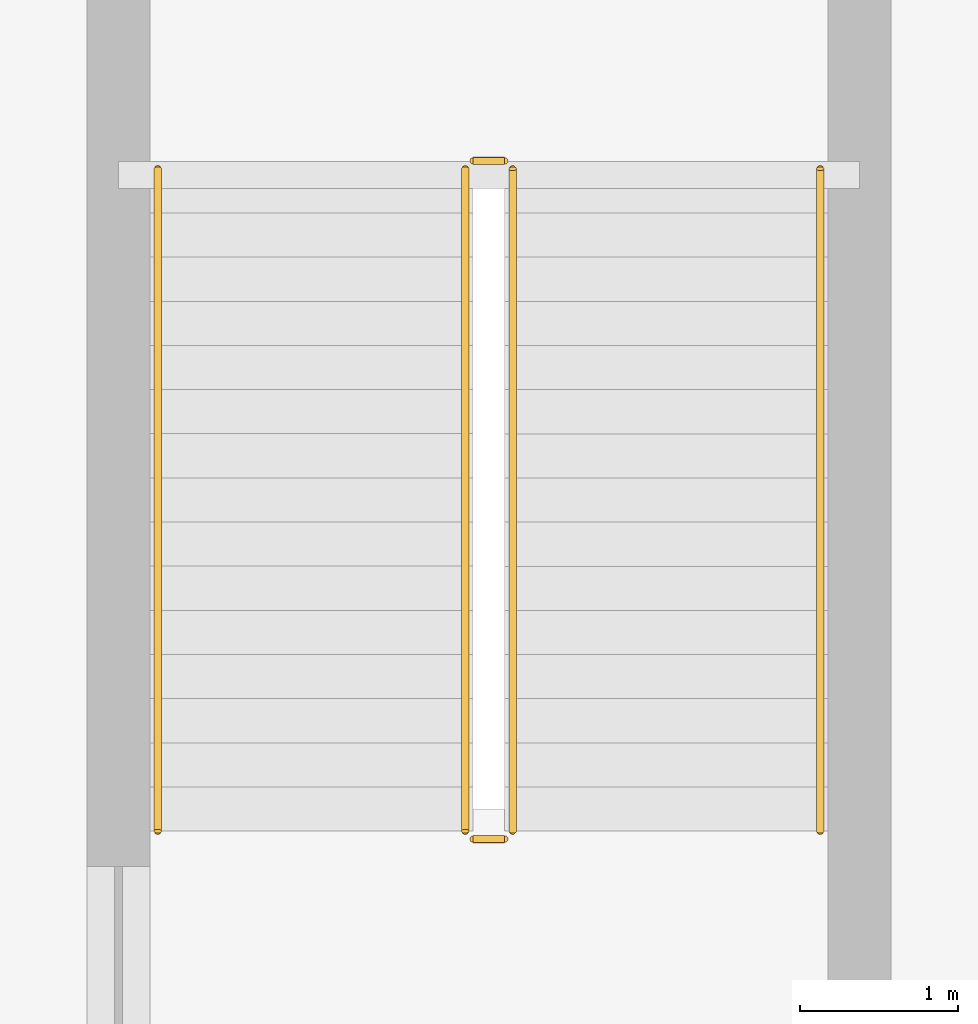
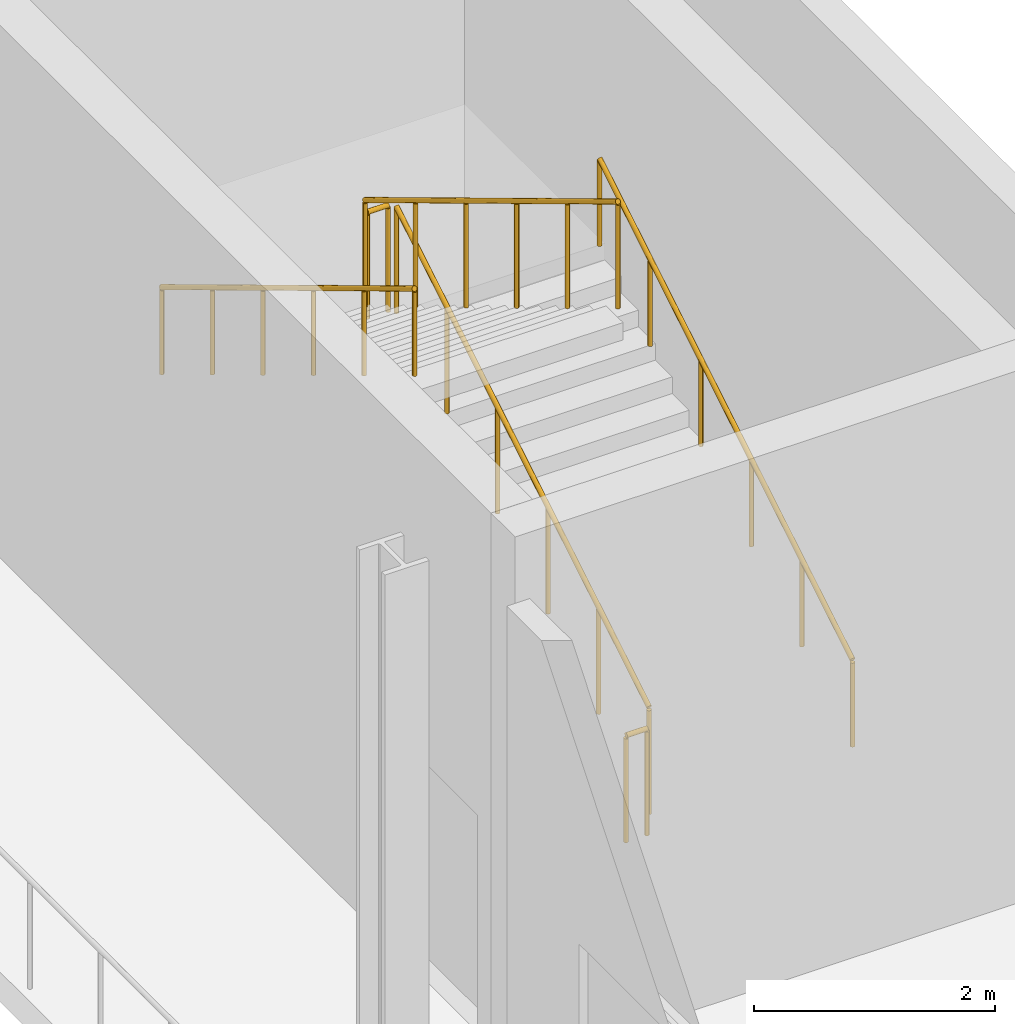
# One storey, part 78 of 78: 6 railings.
"""IFC4 building model written with IfcOpenShell, lengths in metres."""

from ifc_helpers import new_model, si_unit, direction, frame, origin, origin_2d, place, context, subcontext, project, spatial, circle, extrude, material, type_object, element, save


model = new_model("IFC4")

# Units and contexts
model_context = context("Model", 3, precision=1e-05, world=origin(), true_north=direction((0.0, 1.0)))
body_context = subcontext(model_context, "Body", "Model", "MODEL_VIEW")
ifc_project = project(units=[si_unit("LENGTHUNIT", "METRE"), si_unit("AREAUNIT", "SQUARE_METRE"), si_unit("VOLUMEUNIT", "CUBIC_METRE"), si_unit("PLANEANGLEUNIT", "RADIAN"), si_unit("MASSUNIT", "GRAM", prefix="KILO")], contexts=[model_context])

# Site, building, storey
site_placement = place(None, origin())
site = spatial("IfcSite", under=ifc_project, at=site_placement, CompositionType="ELEMENT")
building_placement = place(site_placement, origin())
building = spatial("IfcBuilding", under=site, at=building_placement, Name="Sefraquen Railside Congress Hotel", CompositionType="ELEMENT")
storey_placement = place(building_placement, frame((0.0, 0.0, 6.0)))
storey = spatial("IfcBuildingStorey", under=building, at=storey_placement, Name="L01", CompositionType="ELEMENT", Elevation=6.0)

# Railings
ifc_material = material(Name="Patinated wrought architectural bronze", Category="metal")
railing_type_1 = type_object("IfcRailingType", Name="TRL-BAL-110", PredefinedType="BALUSTRADE", material=ifc_material)
railing_1_placement = place(storey_placement, frame((168.10009765625, 81.64990234375, 0.168701171875)))
element("IfcRailing", 1, at=railing_1_placement, inside=storey, type_object=railing_type_1, Name="L01 ST-B01 stair guard 1", PredefinedType="BALUSTRADE", context=body_context, shape_type="SweptSolid", body=[
    extrude(circle(Radius=0.02392578125, at=origin_2d()), frame((0.0, 0.0, 1.076171875), z_axis=(0.0, 0.856489757249, 0.516164020179), x_axis=(-1.0, 0.0, 0.0)), (0.0, 0.0, 1.0), 4.904052734375),
    extrude(circle(Radius=0.02099609375, at=origin_2d()), origin(), (0.0, 0.0, 1.0), 1.052001953125),
    extrude(circle(Radius=0.02099609375, at=origin_2d()), frame((0.0, 0.840087890625, 0.50634765625)), (0.0, 0.0, 1.0), 1.052001953125),
    extrude(circle(Radius=0.02099609375, at=origin_2d()), frame((0.0, 1.68017578125, 1.012451171875)), (0.0, 0.0, 1.0), 1.052001953125),
    extrude(circle(Radius=0.02099609375, at=origin_2d()), frame((0.0, 2.52001953125, 1.518798828125)), (0.0, 0.0, 1.0), 1.052001953125),
    extrude(circle(Radius=0.02099609375, at=origin_2d()), frame((0.0, 3.360107421875, 2.02490234375)), (0.0, 0.0, 1.0), 1.052001953125),
    extrude(circle(Radius=0.02099609375, at=origin_2d()), frame((0.0, 4.2001953125, 2.53125)), (0.0, 0.0, 1.0), 1.052001953125),
])
railing_2_placement = place(storey_placement, frame((168.050048828125, 85.89990234375, 2.699951171875)))
element("IfcRailing", 2, at=railing_2_placement, inside=storey, type_object=railing_type_1, Name="L01 ST-B01 stair guard 2", PredefinedType="BALUSTRADE", context=body_context, shape_type="SweptSolid", body=[
    extrude(circle(Radius=0.02392578125, at=origin_2d()), frame((0.0, 0.0, 1.076171875), z_axis=(-1.0, 0.0, 0.0), x_axis=(0.0, -1.0, 0.0)), (0.0, 0.0, 1.0), 0.199951171875),
    extrude(circle(Radius=0.02099609375, at=origin_2d()), origin(), (0.0, 0.0, 1.0), 1.052001953125),
    extrude(circle(Radius=0.02099609375, at=origin_2d()), frame((-0.199951171875, 0.0, 0.0)), (0.0, 0.0, 1.0), 1.052001953125),
])
railing_3_placement = place(storey_placement, frame((167.800048828125, 85.85009765625, 2.86865234375)))
element("IfcRailing", 3, at=railing_3_placement, inside=storey, type_object=railing_type_1, Name="L01 ST-B01 stair guard 3", PredefinedType="BALUSTRADE", context=body_context, shape_type="SweptSolid", body=[
    extrude(circle(Radius=0.02392578125, at=origin_2d()), frame((0.0, 0.0, 1.076171875), z_axis=(0.0, -0.856489757249, 0.516164020179), x_axis=(1.0, 0.0, 0.0)), (0.0, 0.0, 1.0), 4.904052734375),
    extrude(circle(Radius=0.02099609375, at=origin_2d()), origin(), (0.0, 0.0, 1.0), 1.052001953125),
    extrude(circle(Radius=0.02099609375, at=origin_2d()), frame((0.0, -0.840087890625, 0.50634765625)), (0.0, 0.0, 1.0), 1.052001953125),
    extrude(circle(Radius=0.02099609375, at=origin_2d()), frame((0.0, -1.68017578125, 1.012451171875)), (0.0, 0.0, 1.0), 1.052001953125),
    extrude(circle(Radius=0.02099609375, at=origin_2d()), frame((0.0, -2.52001953125, 1.518798828125)), (0.0, 0.0, 1.0), 1.052001953125),
    extrude(circle(Radius=0.02099609375, at=origin_2d()), frame((0.0, -3.360107421875, 2.02490234375)), (0.0, 0.0, 1.0), 1.052001953125),
    extrude(circle(Radius=0.02099609375, at=origin_2d()), frame((0.0, -4.2001953125, 2.53125)), (0.0, 0.0, 1.0), 1.052001953125),
])
railing_4_placement = place(storey_placement, frame((168.050048828125, 81.60009765625, 0.0)))
element("IfcRailing", 4, at=railing_4_placement, inside=storey, type_object=railing_type_1, Name="L01 ST-B01 stair guard 4", PredefinedType="BALUSTRADE", context=body_context, shape_type="SweptSolid", body=[
    extrude(circle(Radius=0.02392578125, at=origin_2d()), frame((0.0, 0.0, 1.076171875), z_axis=(-1.0, 0.0, 0.0), x_axis=(0.0, -1.0, 0.0)), (0.0, 0.0, 1.0), 0.199951171875),
    extrude(circle(Radius=0.02099609375, at=origin_2d()), origin(), (0.0, 0.0, 1.0), 1.052001953125),
    extrude(circle(Radius=0.02099609375, at=origin_2d()), frame((-0.199951171875, 0.0, 0.0)), (0.0, 0.0, 1.0), 1.052001953125),
])
railing_type_2 = type_object("IfcRailingType", Name="TRL-HR-090", PredefinedType="HANDRAIL", material=ifc_material)
railing_5_placement = place(storey_placement, frame((170.050048828125, 81.64990234375, 0.168701171875)))
element("IfcRailing", 5, at=railing_5_placement, inside=storey, type_object=railing_type_2, Name="L01 ST-B01 stair handrail 1", PredefinedType="HANDRAIL", context=body_context, shape_type="SweptSolid", body=[
    extrude(circle(Radius=0.02392578125, at=origin_2d()), frame((0.0, 0.0, 0.8759765625), z_axis=(0.0, 0.856489757249, 0.516164020179), x_axis=(-1.0, 0.0, 0.0)), (0.0, 0.0, 1.0), 4.904052734375),
    extrude(circle(Radius=0.02099609375, at=origin_2d()), origin(), (0.0, 0.0, 1.0), 0.851806640625),
    extrude(circle(Radius=0.02099609375, at=origin_2d()), frame((0.0, 0.840087890625, 0.50634765625)), (0.0, 0.0, 1.0), 0.851806640625),
    extrude(circle(Radius=0.02099609375, at=origin_2d()), frame((0.0, 1.68017578125, 1.012451171875)), (0.0, 0.0, 1.0), 0.851806640625),
    extrude(circle(Radius=0.02099609375, at=origin_2d()), frame((0.0, 2.52001953125, 1.518798828125)), (0.0, 0.0, 1.0), 0.851806640625),
    extrude(circle(Radius=0.02099609375, at=origin_2d()), frame((0.0, 3.360107421875, 2.02490234375)), (0.0, 0.0, 1.0), 0.851806640625),
    extrude(circle(Radius=0.02099609375, at=origin_2d()), frame((0.0, 4.2001953125, 2.53125)), (0.0, 0.0, 1.0), 0.851806640625),
])
railing_6_placement = place(storey_placement, frame((165.85009765625, 85.85009765625, 2.86865234375)))
element("IfcRailing", 6, at=railing_6_placement, inside=storey, type_object=railing_type_2, Name="L01 ST-B01 stair handrail 2", PredefinedType="HANDRAIL", context=body_context, shape_type="SweptSolid", body=[
    extrude(circle(Radius=0.02392578125, at=origin_2d()), frame((0.0, 0.0, 0.8759765625), z_axis=(0.0, -0.856489757249, 0.516164020179), x_axis=(1.0, 0.0, 0.0)), (0.0, 0.0, 1.0), 4.904052734375),
    extrude(circle(Radius=0.02099609375, at=origin_2d()), origin(), (0.0, 0.0, 1.0), 0.851806640625),
    extrude(circle(Radius=0.02099609375, at=origin_2d()), frame((0.0, -0.840087890625, 0.50634765625)), (0.0, 0.0, 1.0), 0.851806640625),
    extrude(circle(Radius=0.02099609375, at=origin_2d()), frame((0.0, -1.68017578125, 1.012451171875)), (0.0, 0.0, 1.0), 0.851806640625),
    extrude(circle(Radius=0.02099609375, at=origin_2d()), frame((0.0, -2.52001953125, 1.518798828125)), (0.0, 0.0, 1.0), 0.851806640625),
    extrude(circle(Radius=0.02099609375, at=origin_2d()), frame((0.0, -3.360107421875, 2.02490234375)), (0.0, 0.0, 1.0), 0.851806640625),
    extrude(circle(Radius=0.02099609375, at=origin_2d()), frame((0.0, -4.2001953125, 2.53125)), (0.0, 0.0, 1.0), 0.851806640625),
])

save(model, "model.ifc")
